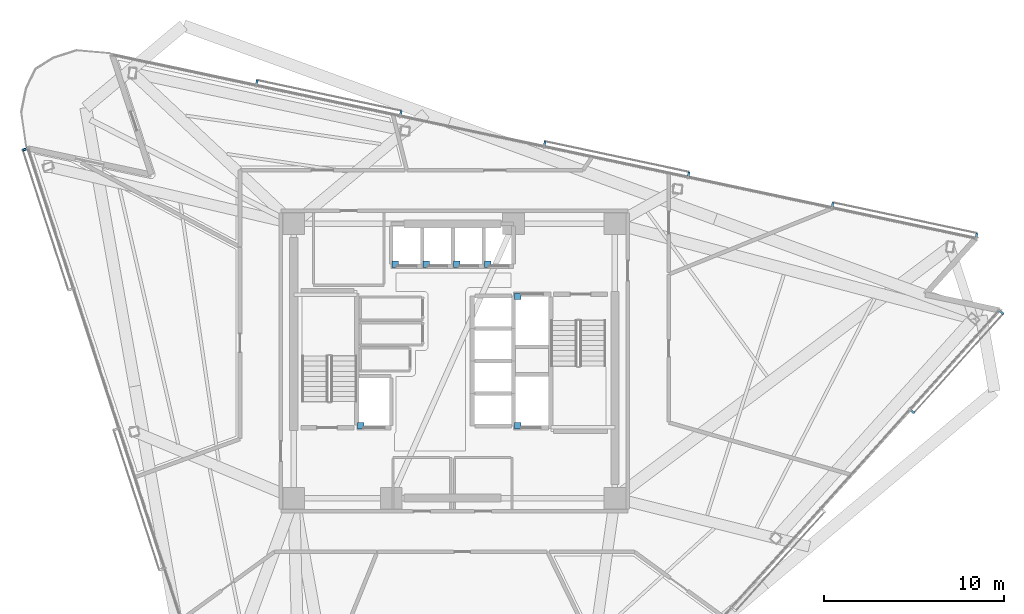
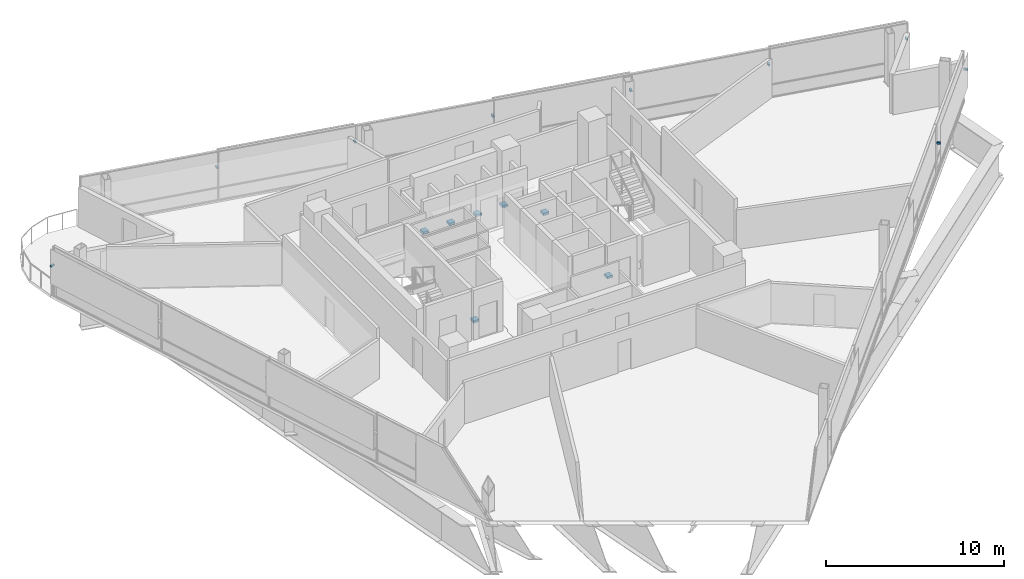
# One storey, part 14 of 17: 16 discrete accessories.
"""IFC4 building model written with IfcOpenShell, lengths in metres."""

import ifcopenshell
import ifcopenshell.guid

model = None  # the IFC model being written
_history = None  # IfcOwnerHistory: only IFC2X3 demands one
_inside = {}  # id of a spatial element -> (the spatial element, [elements in it])
_under = {}  # id of a project, library or spatial element -> (it, [spatial elements below it])
_declared = {}  # id of a project -> (the project, [libraries it declares])
_typed = {}  # id of a type object -> (the type object, [elements of that type])
_made_of = {}  # id of a material, layer set ... -> (it, [elements and type objects made of it])


def new_model(schema):
    """Start an empty IFC model of exactly this schema.

    Asked for "IFC4X3", IfcOpenShell would pick the latest addendum, in which some entities
    have other attributes; the version numbers below select the first issue.
    IFC2X3 requires an IfcOwnerHistory on every rooted entity: one is made here for all.
    """
    global model, _history
    if schema == "IFC4X3":
        model = ifcopenshell.file(schema_version=(4, 3, 0, 0))
    else:
        model = ifcopenshell.file(schema=schema)
    _inside.clear()
    _under.clear()
    _declared.clear()
    _typed.clear()
    _made_of.clear()
    _history = None
    if model.schema == "IFC2X3":
        org = make("IfcOrganization", Name="unknown")
        user = make(
            "IfcPersonAndOrganization",
            ThePerson=make("IfcPerson", FamilyName="unknown"),
            TheOrganization=org,
        )
        app = make(
            "IfcApplication",
            ApplicationDeveloper=org,
            Version="unknown",
            ApplicationFullName="unknown",
            ApplicationIdentifier="unknown",
        )
        _history = make(
            "IfcOwnerHistory",
            OwningUser=user,
            OwningApplication=app,
            ChangeAction="ADDED",
            CreationDate=0,
        )
    return model


def make(cls, **values):
    """One entity of the class cls with the attributes given. An attribute that is None is left unset."""
    return model.create_entity(
        cls, **{name: value for name, value in values.items() if value is not None}
    )


def rooted(cls, **values):
    """An entity with a GlobalId (a new one), such as an element, a storey or a relation."""
    return make(cls, GlobalId=ifcopenshell.guid.new(), OwnerHistory=_history, **values)


def si_unit(unit_type, name, prefix=None):
    """IfcSIUnit, for example si_unit("LENGTHUNIT", "METRE", prefix="MILLI")."""
    return make("IfcSIUnit", UnitType=unit_type, Prefix=prefix, Name=name)


def assignment(units):
    """IfcUnitAssignment: the units of a project."""
    return None if units is None else make("IfcUnitAssignment", Units=units)


def point(xyz):
    """IfcCartesianPoint."""
    return None if xyz is None else make("IfcCartesianPoint", Coordinates=xyz)


def direction(xyz):
    """IfcDirection."""
    return None if xyz is None else make("IfcDirection", DirectionRatios=xyz)


def frame(location, z_axis=None, x_axis=None):
    """IfcAxis2Placement3D, a coordinate frame: its origin and axes. An axis left out is left unset."""
    return make(
        "IfcAxis2Placement3D",
        Location=point(location),
        Axis=direction(z_axis),
        RefDirection=direction(x_axis),
    )


def frame_2d(location, x_axis=None):
    """IfcAxis2Placement2D, a coordinate frame in the plane: its origin and x axis."""
    return make(
        "IfcAxis2Placement2D", Location=point(location), RefDirection=direction(x_axis)
    )


def origin():
    """The frame at (0, 0, 0) with its axes left unset."""
    return frame((0.0, 0.0, 0.0))


def origin_2d():
    """The frame at (0, 0) in the plane with its x axis left unset."""
    return frame_2d((0.0, 0.0))


def place(relative_to, where):
    """IfcLocalPlacement: puts the frame where relative to a parent placement (None: the world)."""
    return make(
        "IfcLocalPlacement", PlacementRelTo=relative_to, RelativePlacement=where
    )


def context(
    kind, dimensions, precision=None, world=None, true_north=None, identifier=None
):
    """IfcGeometricRepresentationContext, for example the 3D "Model" context."""
    return make(
        "IfcGeometricRepresentationContext",
        ContextIdentifier=identifier,
        ContextType=kind,
        CoordinateSpaceDimension=dimensions,
        Precision=precision,
        WorldCoordinateSystem=world,
        TrueNorth=true_north,
    )


def subcontext(parent, identifier, kind, view, scale=None):
    """IfcGeometricRepresentationSubContext, for example "Body" below "Model"."""
    return make(
        "IfcGeometricRepresentationSubContext",
        ContextIdentifier=identifier,
        ContextType=kind,
        ParentContext=parent,
        TargetScale=scale,
        TargetView=view,
    )


def project(units=None, contexts=None):
    """IfcProject with its units and contexts."""
    return rooted(
        "IfcProject",
        Name="project",
        RepresentationContexts=contexts,
        UnitsInContext=assignment(units),
    )


def spatial(cls, under=None, at=None, **own):
    """A site, building, storey or space (cls), placed at a placement, below another one or the project."""
    s = rooted(cls, ObjectPlacement=at, **own)
    if under is not None:
        _under.setdefault(under.id(), (under, []))[1].append(s)
    return s


def profile(cls, at=None, kind="AREA", **sizes):
    """A parametric profile (cls). Its sizes go by their IFC names, for example OverallWidth=200.0."""
    return make(cls, ProfileType=kind, Position=at, **sizes)


def rectangle(**sizes):
    """IfcRectangleProfileDef."""
    return profile("IfcRectangleProfileDef", **sizes)


def extrude(swept, where, along, depth):
    """IfcExtrudedAreaSolid: the profile swept, set in the frame where, extruded along a direction by depth."""
    return make(
        "IfcExtrudedAreaSolid",
        SweptArea=swept,
        Position=where,
        ExtrudedDirection=direction(along),
        Depth=depth,
    )


def shape(context_of_items, identifier, shape_type, items):
    """IfcShapeRepresentation: the items that make up one representation, for example the "Body"."""
    return make(
        "IfcShapeRepresentation",
        ContextOfItems=context_of_items,
        RepresentationIdentifier=identifier,
        RepresentationType=shape_type,
        Items=items,
    )


def material(Name=None, Category=None):
    """IfcMaterial."""
    return make("IfcMaterial", Name=Name, Category=Category)


def made_of(thing, what):
    """Note that an element or type object is made of a material, layer set ...; save() writes the relation."""
    if what is not None:
        _made_of.setdefault(what.id(), (what, []))[1].append(thing)
    return thing


def type_object(cls, material=None, **own):
    """A type object (cls), such as IfcWallType, which elements share."""
    return made_of(rooted(cls, **own), material)


def element(
    cls,
    number,
    at=None,
    inside=None,
    cuts=None,
    type_object=None,
    material=None,
    context=None,
    identifier="Body",
    shape_type=None,
    held_by="IfcProductDefinitionShape",
    body=None,
    shapes=None,
    **own,
):
    """One element of the class cls, such as IfcWall. Its Tag is "e" and its number.

    at: its placement. inside: the storey or other place that contains it. cuts: it is an
    opening in that element (IfcRelVoidsElement). A single representation is given by context,
    identifier, shape_type and body (its items); several are given by shapes. held_by: the class
    of the entity that holds the representations. save() writes the other relations.
    """
    e = rooted(cls, Tag="e%d" % number, ObjectPlacement=at, **own)
    if body is not None:
        shapes = [shape(context, identifier, shape_type, body)]
    if shapes is not None:
        e.Representation = make(held_by, Representations=shapes)
    if inside is not None:
        _inside.setdefault(inside.id(), (inside, []))[1].append(e)
    if cuts is not None:
        rooted(
            "IfcRelVoidsElement", RelatingBuildingElement=cuts, RelatedOpeningElement=e
        )
    if type_object is not None:
        _typed.setdefault(type_object.id(), (type_object, []))[1].append(e)
    return made_of(e, material)


def aggregate(whole, parts):
    """IfcRelAggregates: a whole, such as a stair, and the parts it consists of."""
    return rooted("IfcRelAggregates", RelatingObject=whole, RelatedObjects=parts)


def save(model, path):
    """Write the relations noted so far, then the file.

    IfcRelAggregates (storeys below a building ...), IfcRelContainedInSpatialStructure (elements
    in a storey), IfcRelDefinesByType, IfcRelAssociatesMaterial and IfcRelDeclares: one each for
    every whole, place, type object, material and project.
    """
    for whole, parts in _under.values():
        aggregate(whole, parts)
    for where, things in _inside.values():
        rooted(
            "IfcRelContainedInSpatialStructure",
            RelatedElements=things,
            RelatingStructure=where,
        )
    for kind, things in _typed.values():
        rooted("IfcRelDefinesByType", RelatedObjects=things, RelatingType=kind)
    for what, things in _made_of.values():
        rooted("IfcRelAssociatesMaterial", RelatedObjects=things, RelatingMaterial=what)
    for by, libraries in _declared.values():
        rooted("IfcRelDeclares", RelatingContext=by, RelatedDefinitions=libraries)
    model.write(path)


model = new_model("IFC4")

# Units and contexts
model_context = context("Model", 3, precision=1e-05, world=origin(), true_north=direction((0.0, 1.0)))
body_context = subcontext(model_context, "Body", "Model", "MODEL_VIEW")
ifc_project = project(units=[si_unit("LENGTHUNIT", "METRE"), si_unit("AREAUNIT", "SQUARE_METRE"), si_unit("VOLUMEUNIT", "CUBIC_METRE"), si_unit("PLANEANGLEUNIT", "RADIAN"), si_unit("MASSUNIT", "GRAM", prefix="KILO")], contexts=[model_context])

# Site, building, storey
site_placement = place(None, origin())
site = spatial("IfcSite", under=ifc_project, at=site_placement, CompositionType="ELEMENT")
building_placement = place(site_placement, origin())
building = spatial("IfcBuilding", under=site, at=building_placement, Name="Tharavind Bronze Gate", CompositionType="ELEMENT")
storey_placement = place(building_placement, frame((0.0, 0.0, 196.85009765625)))
storey = spatial("IfcBuildingStorey", under=building, at=storey_placement, Name="L50", CompositionType="ELEMENT", Elevation=196.85009765625)

# Discrete accessories
ifc_material_1 = material(Name="Galvanised Steel S355", Category="steel")
discrete_accessory_type_1 = type_object("IfcDiscreteAccessoryType", Name="LIFT GUIDE RAIL BRACKET", PredefinedType="BRACKET", material=ifc_material_1)
for number, where, z_axis, x_axis, name in (
    (1, (-3.280029296875, 5.3701171875, 1.1201171875), (0.0, 0.0, 1.0), (1.0, 0.0, 0.0), "Lift PL5 guide rail bracket at L50"),
    (2, (-1.5673828125, 5.3701171875, 1.1201171875), (0.0, 0.0, 1.0), (1.0, 0.0, 0.0), "Lift PL6 guide rail bracket at L50"),
    (3, (0.14501953125, 5.3701171875, 1.1201171875), (0.0, 0.0, 1.0), (1.0, 0.0, 0.0), "Lift PL7 guide rail bracket at L50"),
    (4, (1.857421875, 5.3701171875, 1.1201171875), (0.0, 0.0, 1.0), (1.0, 0.0, 0.0), "Lift PL8 guide rail bracket at L50"),
    (5, (-5.179931640625, -3.580078125, 1.1201171875), (0.0, 0.0, 1.0), (1.0, 0.0, 0.0), "Lift FFL1 guide rail bracket at L50"),
    (6, (3.5, 3.580078125, 1.1201171875), (0.0, 0.0, 1.0), (1.0, 0.0, 0.0), "Lift FFL2 guide rail bracket at L50"),
    (7, (3.5, -3.580078125, 1.1201171875), (0.0, 0.0, 1.0), (1.0, 0.0, 0.0), "Lift SVL1 guide rail bracket at L50"),
):
    element("IfcDiscreteAccessory", number, at=place(storey_placement, frame(where, z_axis=z_axis, x_axis=x_axis)), inside=storey, type_object=discrete_accessory_type_1, Name=name, PredefinedType="BRACKET", context=body_context, shape_type="SweptSolid", body=[
        extrude(rectangle(XDim=0.360107421875, YDim=0.360107421875, at=origin_2d()), origin(), (0.0, 0.0, 1.0), 0.159912109375),
    ])
ifc_material_2 = material(Name="Stainless Steel 316", Category="steel")
discrete_accessory_type_2 = type_object("IfcDiscreteAccessoryType", Name="SOLAR SCREEN STANDOFF BRACKET", PredefinedType="BRACKET", material=ifc_material_2)
for number, where, z_axis, x_axis, name in (
    (8, (-23.801513671875, 11.724853515625, 2.099853515625), (0.0, 0.0, 1.0), (0.309016994375, -0.951056516295, 0.0), "CW-L50-S1 solar screen bracket 1.1"),
    (9, (25.388671875, -2.80126953125, 2.099853515625), (0.0, 0.0, 1.0), (0.669130606359, 0.743144825477, 0.0), "CW-L50-S2 solar screen bracket 7.1"),
    (10, (30.333251953125, 2.690185546875, 2.099853515625), (0.0, 0.0, 1.0), (0.669130606359, 0.743144825477, 0.0), "CW-L50-S2 solar screen bracket 7.2"),
    (11, (28.942626953125, 6.9697265625, 2.099853515625), (0.0, 0.0, 1.0), (-0.978147600734, 0.207911690818, 0.0), "CW-L50-S3 solar screen bracket 1.1"),
    (12, (20.965087890625, 8.665283203125, 2.099853515625), (0.0, 0.0, 1.0), (-0.978147600734, 0.207911690818, 0.0), "CW-L50-S3 solar screen bracket 1.2"),
    (13, (12.98779296875, 10.361083984375, 2.099853515625), (0.0, 0.0, 1.0), (-0.978147600734, 0.207911690818, 0.0), "CW-L50-S3 solar screen bracket 3.1"),
    (14, (5.01025390625, 12.056640625, 2.099853515625), (0.0, 0.0, 1.0), (-0.978147600734, 0.207911690818, 0.0), "CW-L50-S3 solar screen bracket 3.2"),
    (15, (-2.96728515625, 13.752197265625, 2.099853515625), (0.0, 0.0, 1.0), (-0.978147600734, 0.207911690818, 0.0), "CW-L50-S3 solar screen bracket 5.1"),
    (16, (-10.94482421875, 15.447998046875, 2.099853515625), (0.0, 0.0, 1.0), (-0.978147600734, 0.207911690818, 0.0), "CW-L50-S3 solar screen bracket 5.2"),
):
    element("IfcDiscreteAccessory", number, at=place(storey_placement, frame(where, z_axis=z_axis, x_axis=x_axis)), inside=storey, type_object=discrete_accessory_type_2, Name=name, PredefinedType="BRACKET", context=body_context, shape_type="SweptSolid", body=[
        extrude(rectangle(XDim=0.1201171875, YDim=0.239990234375, at=origin_2d()), origin(), (0.0, 0.0, 1.0), 0.1201171875),
    ])

save(model, "model.ifc")
